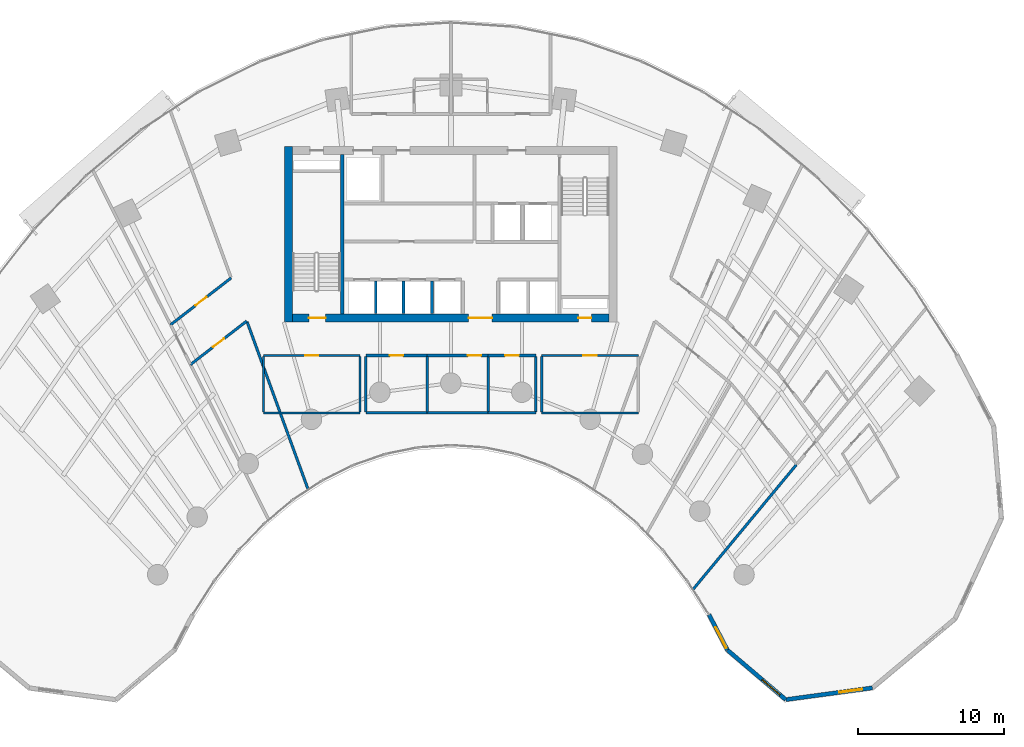
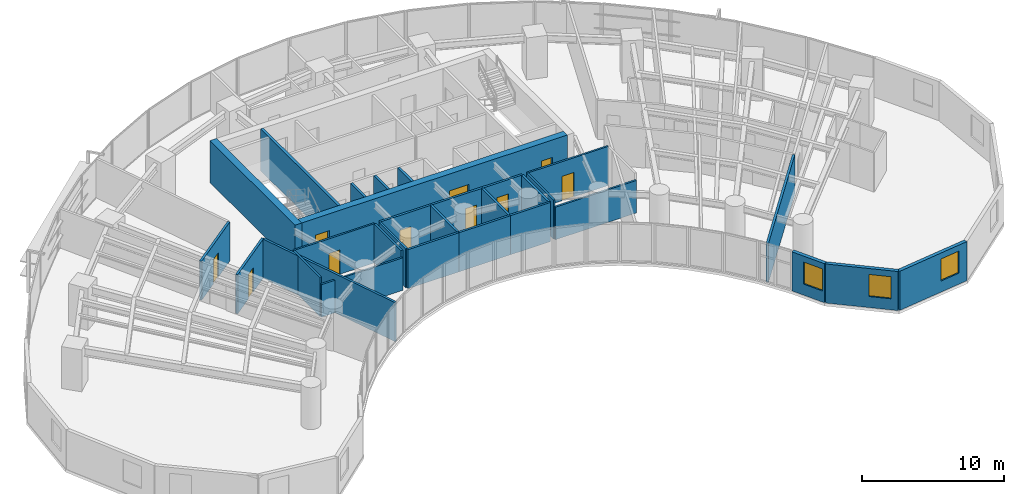
# One storey, part 11 of 17: 30 walls, 10 doors, 3 windows, 13 openings.
"""IFC4 building model written with IfcOpenShell, lengths in metres."""

import ifcopenshell
import ifcopenshell.guid

model = None  # the IFC model being written
_history = None  # IfcOwnerHistory: only IFC2X3 demands one
_inside = {}  # id of a spatial element -> (the spatial element, [elements in it])
_under = {}  # id of a project, library or spatial element -> (it, [spatial elements below it])
_declared = {}  # id of a project -> (the project, [libraries it declares])
_typed = {}  # id of a type object -> (the type object, [elements of that type])
_made_of = {}  # id of a material, layer set ... -> (it, [elements and type objects made of it])


def new_model(schema):
    """Start an empty IFC model of exactly this schema.

    Asked for "IFC4X3", IfcOpenShell would pick the latest addendum, in which some entities
    have other attributes; the version numbers below select the first issue.
    IFC2X3 requires an IfcOwnerHistory on every rooted entity: one is made here for all.
    """
    global model, _history
    if schema == "IFC4X3":
        model = ifcopenshell.file(schema_version=(4, 3, 0, 0))
    else:
        model = ifcopenshell.file(schema=schema)
    _inside.clear()
    _under.clear()
    _declared.clear()
    _typed.clear()
    _made_of.clear()
    _history = None
    if model.schema == "IFC2X3":
        org = make("IfcOrganization", Name="unknown")
        user = make(
            "IfcPersonAndOrganization",
            ThePerson=make("IfcPerson", FamilyName="unknown"),
            TheOrganization=org,
        )
        app = make(
            "IfcApplication",
            ApplicationDeveloper=org,
            Version="unknown",
            ApplicationFullName="unknown",
            ApplicationIdentifier="unknown",
        )
        _history = make(
            "IfcOwnerHistory",
            OwningUser=user,
            OwningApplication=app,
            ChangeAction="ADDED",
            CreationDate=0,
        )
    return model


def make(cls, **values):
    """One entity of the class cls with the attributes given. An attribute that is None is left unset."""
    return model.create_entity(
        cls, **{name: value for name, value in values.items() if value is not None}
    )


def rooted(cls, **values):
    """An entity with a GlobalId (a new one), such as an element, a storey or a relation."""
    return make(cls, GlobalId=ifcopenshell.guid.new(), OwnerHistory=_history, **values)


def si_unit(unit_type, name, prefix=None):
    """IfcSIUnit, for example si_unit("LENGTHUNIT", "METRE", prefix="MILLI")."""
    return make("IfcSIUnit", UnitType=unit_type, Prefix=prefix, Name=name)


def assignment(units):
    """IfcUnitAssignment: the units of a project."""
    return None if units is None else make("IfcUnitAssignment", Units=units)


def point(xyz):
    """IfcCartesianPoint."""
    return None if xyz is None else make("IfcCartesianPoint", Coordinates=xyz)


def direction(xyz):
    """IfcDirection."""
    return None if xyz is None else make("IfcDirection", DirectionRatios=xyz)


def frame(location, z_axis=None, x_axis=None):
    """IfcAxis2Placement3D, a coordinate frame: its origin and axes. An axis left out is left unset."""
    return make(
        "IfcAxis2Placement3D",
        Location=point(location),
        Axis=direction(z_axis),
        RefDirection=direction(x_axis),
    )


def frame_2d(location, x_axis=None):
    """IfcAxis2Placement2D, a coordinate frame in the plane: its origin and x axis."""
    return make(
        "IfcAxis2Placement2D", Location=point(location), RefDirection=direction(x_axis)
    )


def origin():
    """The frame at (0, 0, 0) with its axes left unset."""
    return frame((0.0, 0.0, 0.0))


def place(relative_to, where):
    """IfcLocalPlacement: puts the frame where relative to a parent placement (None: the world)."""
    return make(
        "IfcLocalPlacement", PlacementRelTo=relative_to, RelativePlacement=where
    )


def context(
    kind, dimensions, precision=None, world=None, true_north=None, identifier=None
):
    """IfcGeometricRepresentationContext, for example the 3D "Model" context."""
    return make(
        "IfcGeometricRepresentationContext",
        ContextIdentifier=identifier,
        ContextType=kind,
        CoordinateSpaceDimension=dimensions,
        Precision=precision,
        WorldCoordinateSystem=world,
        TrueNorth=true_north,
    )


def subcontext(parent, identifier, kind, view, scale=None):
    """IfcGeometricRepresentationSubContext, for example "Body" below "Model"."""
    return make(
        "IfcGeometricRepresentationSubContext",
        ContextIdentifier=identifier,
        ContextType=kind,
        ParentContext=parent,
        TargetScale=scale,
        TargetView=view,
    )


def project(units=None, contexts=None):
    """IfcProject with its units and contexts."""
    return rooted(
        "IfcProject",
        Name="project",
        RepresentationContexts=contexts,
        UnitsInContext=assignment(units),
    )


def spatial(cls, under=None, at=None, **own):
    """A site, building, storey or space (cls), placed at a placement, below another one or the project."""
    s = rooted(cls, ObjectPlacement=at, **own)
    if under is not None:
        _under.setdefault(under.id(), (under, []))[1].append(s)
    return s


def profile(cls, at=None, kind="AREA", **sizes):
    """A parametric profile (cls). Its sizes go by their IFC names, for example OverallWidth=200.0."""
    return make(cls, ProfileType=kind, Position=at, **sizes)


def rectangle(**sizes):
    """IfcRectangleProfileDef."""
    return profile("IfcRectangleProfileDef", **sizes)


def extrude(swept, where, along, depth):
    """IfcExtrudedAreaSolid: the profile swept, set in the frame where, extruded along a direction by depth."""
    return make(
        "IfcExtrudedAreaSolid",
        SweptArea=swept,
        Position=where,
        ExtrudedDirection=direction(along),
        Depth=depth,
    )


def shape(context_of_items, identifier, shape_type, items):
    """IfcShapeRepresentation: the items that make up one representation, for example the "Body"."""
    return make(
        "IfcShapeRepresentation",
        ContextOfItems=context_of_items,
        RepresentationIdentifier=identifier,
        RepresentationType=shape_type,
        Items=items,
    )


def source(mapping_origin, context_of_items, identifier, shape_type, items):
    """IfcRepresentationMap: a shape defined once, which mapped items show again and again."""
    return make(
        "IfcRepresentationMap",
        MappingOrigin=mapping_origin,
        MappedRepresentation=shape(context_of_items, identifier, shape_type, items),
    )


def transform(
    local_origin,
    x_axis=None,
    y_axis=None,
    z_axis=None,
    scale=None,
    scale2=None,
    scale3=None,
    uniform=True,
):
    """IfcCartesianTransformationOperator3D, or its non-uniform kind. x_axis, y_axis, z_axis: its Axis1, 2, 3."""
    if uniform:
        return make(
            "IfcCartesianTransformationOperator3D",
            Axis1=direction(x_axis),
            Axis2=direction(y_axis),
            LocalOrigin=point(local_origin),
            Scale=scale,
            Axis3=direction(z_axis),
        )
    return make(
        "IfcCartesianTransformationOperator3DnonUniform",
        Axis1=direction(x_axis),
        Axis2=direction(y_axis),
        LocalOrigin=point(local_origin),
        Scale=scale,
        Axis3=direction(z_axis),
        Scale2=scale2,
        Scale3=scale3,
    )


def mapped(mapping_source, mapping_target):
    """IfcMappedItem: shows the shape of a source again, moved by a transform."""
    return make(
        "IfcMappedItem", MappingSource=mapping_source, MappingTarget=mapping_target
    )


def material(Name=None, Category=None):
    """IfcMaterial."""
    return make("IfcMaterial", Name=Name, Category=Category)


def layer(
    of_material, thickness, ventilated=None, Name=None, Category=None, Priority=None
):
    """IfcMaterialLayer: one layer of a wall or slab, of a material (None: an air gap)."""
    return make(
        "IfcMaterialLayer",
        Material=of_material,
        LayerThickness=thickness,
        IsVentilated=ventilated,
        Name=Name,
        Category=Category,
        Priority=Priority,
    )


def layer_set(layers, Name=None):
    """IfcMaterialLayerSet."""
    return make("IfcMaterialLayerSet", MaterialLayers=layers, LayerSetName=Name)


def made_of(thing, what):
    """Note that an element or type object is made of a material, layer set ...; save() writes the relation."""
    if what is not None:
        _made_of.setdefault(what.id(), (what, []))[1].append(thing)
    return thing


def type_object(cls, material=None, **own):
    """A type object (cls), such as IfcWallType, which elements share."""
    return made_of(rooted(cls, **own), material)


def type_shapes(of_type, sources):
    """Give a type object the sources (RepresentationMaps) that its elements show as mapped items."""
    of_type.RepresentationMaps = sources


def element(
    cls,
    number,
    at=None,
    inside=None,
    cuts=None,
    type_object=None,
    material=None,
    context=None,
    identifier="Body",
    shape_type=None,
    held_by="IfcProductDefinitionShape",
    body=None,
    shapes=None,
    **own,
):
    """One element of the class cls, such as IfcWall. Its Tag is "e" and its number.

    at: its placement. inside: the storey or other place that contains it. cuts: it is an
    opening in that element (IfcRelVoidsElement). A single representation is given by context,
    identifier, shape_type and body (its items); several are given by shapes. held_by: the class
    of the entity that holds the representations. save() writes the other relations.
    """
    e = rooted(cls, Tag="e%d" % number, ObjectPlacement=at, **own)
    if body is not None:
        shapes = [shape(context, identifier, shape_type, body)]
    if shapes is not None:
        e.Representation = make(held_by, Representations=shapes)
    if inside is not None:
        _inside.setdefault(inside.id(), (inside, []))[1].append(e)
    if cuts is not None:
        rooted(
            "IfcRelVoidsElement", RelatingBuildingElement=cuts, RelatedOpeningElement=e
        )
    if type_object is not None:
        _typed.setdefault(type_object.id(), (type_object, []))[1].append(e)
    return made_of(e, material)


def fill(opening, filler):
    """IfcRelFillsElement: the door or window that sits in an opening."""
    return rooted(
        "IfcRelFillsElement",
        RelatingOpeningElement=opening,
        RelatedBuildingElement=filler,
    )


def aggregate(whole, parts):
    """IfcRelAggregates: a whole, such as a stair, and the parts it consists of."""
    return rooted("IfcRelAggregates", RelatingObject=whole, RelatedObjects=parts)


def save(model, path):
    """Write the relations noted so far, then the file.

    IfcRelAggregates (storeys below a building ...), IfcRelContainedInSpatialStructure (elements
    in a storey), IfcRelDefinesByType, IfcRelAssociatesMaterial and IfcRelDeclares: one each for
    every whole, place, type object, material and project.
    """
    for whole, parts in _under.values():
        aggregate(whole, parts)
    for where, things in _inside.values():
        rooted(
            "IfcRelContainedInSpatialStructure",
            RelatedElements=things,
            RelatingStructure=where,
        )
    for kind, things in _typed.values():
        rooted("IfcRelDefinesByType", RelatedObjects=things, RelatingType=kind)
    for what, things in _made_of.values():
        rooted("IfcRelAssociatesMaterial", RelatedObjects=things, RelatingMaterial=what)
    for by, libraries in _declared.values():
        rooted("IfcRelDeclares", RelatingContext=by, RelatedDefinitions=libraries)
    model.write(path)


model = new_model("IFC4")

# Units and contexts
model_context = context("Model", 3, precision=1e-05, world=origin(), true_north=direction((0.0, 1.0)))
body_context = subcontext(model_context, "Body", "Model", "MODEL_VIEW")
ifc_project = project(units=[si_unit("LENGTHUNIT", "METRE"), si_unit("AREAUNIT", "SQUARE_METRE"), si_unit("VOLUMEUNIT", "CUBIC_METRE"), si_unit("PLANEANGLEUNIT", "RADIAN"), si_unit("MASSUNIT", "GRAM", prefix="KILO")], contexts=[model_context])

# Site, building, storey
site_placement = place(None, origin())
site = spatial("IfcSite", under=ifc_project, at=site_placement, CompositionType="ELEMENT")
building_placement = place(site_placement, origin())
building = spatial("IfcBuilding", under=site, at=building_placement, Name="Breltana Convention Tower", CompositionType="ELEMENT")
storey_placement = place(building_placement, frame((0.0, 0.0, 64.199951171875)))
storey = spatial("IfcBuildingStorey", under=building, at=storey_placement, Name="L14", CompositionType="ELEMENT", Elevation=64.199951171875)

# Wall
ifc_material_1 = material(Name="Concrete C60/75", Category="concrete")
ifc_layer_1 = layer(ifc_material_1, 0.550048828125, Name="Concrete C60/75")
ifc_layer_set_1 = layer_set([ifc_layer_1], Name="Concrete C60/75")
wall_type_1 = type_object("IfcWallType", Name="SW-CORE-550", PredefinedType="SHEAR", material=ifc_layer_set_1)
shared_shape_1 = source(origin(), body_context, "Body", "SweptSolid", [
    extrude(rectangle(XDim=12.0, YDim=0.550048828125, at=frame_2d((6.0, 0.0))), origin(), (0.0, 0.0, 1.0), 3.60009765625),
])
wall_1_placement = place(storey_placement, frame((36.925048828125, 60.199951171875, 0.0), z_axis=(0.0, 0.0, 1.0), x_axis=(0.0, 1.0, 0.0)))
element("IfcWall", 1, at=wall_1_placement, inside=storey, type_object=wall_type_1, Name="L14 West Core Shear Wall", PredefinedType="SHEAR", context=body_context, shape_type="MappedRepresentation", body=[
    mapped(shared_shape_1, transform((0.0, 0.0, 0.0), scale=1.0)),
])

# Wall, openings, doors
shared_shape_2 = source(origin(), body_context, "Body", "SweptSolid", [
    extrude(rectangle(XDim=21.60009765625, YDim=0.550048828125, at=frame_2d((10.800048828125, 0.0))), origin(), (0.0, 0.0, 1.0), 3.60009765625),
])
wall_2_placement = place(storey_placement, frame((37.199951171875, 60.47509765625, 0.0), z_axis=(0.0, 0.0, 1.0), x_axis=(1.0, 0.0, 0.0)))
wall_2 = element("IfcWall", 2, at=wall_2_placement, inside=storey, type_object=wall_type_1, Name="L14 South Core Shear Wall", PredefinedType="SHEAR", context=body_context, shape_type="MappedRepresentation", body=[
    mapped(shared_shape_2, transform((0.0, 0.0, 0.0), scale=1.0)),
])
opening_1_placement = place(wall_2_placement, frame((1.10009765625, 0.0, 0.0)))
opening_1 = element("IfcOpeningElement", 3, at=opening_1_placement, cuts=wall_2, Name="Opening D-11", PredefinedType="OPENING", context=body_context, shape_type="SweptSolid", body=[
    extrude(rectangle(XDim=1.14990234375, YDim=2.14990234375, at=frame_2d((0.574951171875, 1.074951171875))), frame((0.0, 0.28515625, 0.0), z_axis=(0.0, -1.0, 0.0), x_axis=(1.0, 0.0, 0.0)), (0.0, 0.0, 1.0), 0.570068359375),
])
opening_2_placement = place(wall_2_placement, frame((19.5, 0.0, 0.0)))
opening_2 = element("IfcOpeningElement", 4, at=opening_2_placement, cuts=wall_2, Name="Opening D-18", PredefinedType="OPENING", context=body_context, shape_type="SweptSolid", body=[
    extrude(rectangle(XDim=0.89990234375, YDim=2.10009765625, at=frame_2d((0.449951171875, 1.050048828125))), frame((0.0, 0.28515625, 0.0), z_axis=(0.0, -1.0, 0.0), x_axis=(1.0, 0.0, 0.0)), (0.0, 0.0, 1.0), 0.570068359375),
])
opening_3_placement = place(wall_2_placement, frame((12.02001953125, 0.0, 0.0)))
opening_3 = element("IfcOpeningElement", 5, at=opening_3_placement, cuts=wall_2, Name="Opening D-02", PredefinedType="OPENING", context=body_context, shape_type="SweptSolid", body=[
    extrude(rectangle(XDim=1.60009765625, YDim=2.14990234375, at=frame_2d((0.800048828125, 1.074951171875))), frame((0.0, 0.28515625, 0.0), z_axis=(0.0, -1.0, 0.0), x_axis=(1.0, 0.0, 0.0)), (0.0, 0.0, 1.0), 0.570068359375),
])
ifc_material_2 = material(Name="Steel Stair Exit Door", Category="steel")
door_type_1 = type_object("IfcDoorType", Name="DR-FD120-1150", OperationType="NOTDEFINED", PredefinedType="DOOR", material=ifc_material_2)
shared_shape_3 = source(origin(), body_context, "Body", "SweptSolid", [
    extrude(rectangle(XDim=1.14990234375, YDim=2.14990234375, at=frame_2d((0.574951171875, 1.074951171875))), frame((0.0, 0.02490234375, 0.0), z_axis=(0.0, -1.0, 0.0), x_axis=(1.0, 0.0, 0.0)), (0.0, 0.0, 1.0), 0.050048828125),
])
type_shapes(door_type_1, [shared_shape_3])
door_1_placement = place(opening_1_placement, origin())
door_1 = element("IfcDoor", 6, at=door_1_placement, inside=storey, type_object=door_type_1, Name="L14 interior door D-L14-ST1", OperationType="SINGLE_SWING_LEFT", OverallHeight=2.14990234375, OverallWidth=1.14990234375, PredefinedType="DOOR", context=body_context, shape_type="MappedRepresentation", body=[
    mapped(shared_shape_3, transform((0.0, 0.0, 0.0), scale=1.0)),
])
fill(opening_1, door_1)
ifc_material_3 = material(Name="Steel Riser Fire Door", Category="steel")
door_type_2 = type_object("IfcDoorType", Name="DR-FD60-900", OperationType="NOTDEFINED", PredefinedType="DOOR", material=ifc_material_3)
shared_shape_4 = source(origin(), body_context, "Body", "SweptSolid", [
    extrude(rectangle(XDim=0.89990234375, YDim=2.10009765625, at=frame_2d((0.449951171875, 1.050048828125))), frame((0.0, 0.02490234375, 0.0), z_axis=(0.0, -1.0, 0.0), x_axis=(1.0, 0.0, 0.0)), (0.0, 0.0, 1.0), 0.050048828125),
])
type_shapes(door_type_2, [shared_shape_4])
door_2_placement = place(opening_2_placement, origin())
door_2 = element("IfcDoor", 7, at=door_2_placement, inside=storey, type_object=door_type_2, Name="L14 Core Riser Access Door D-L14-RS2", OperationType="SINGLE_SWING_RIGHT", OverallHeight=2.10009765625, OverallWidth=0.89990234375, PredefinedType="DOOR", context=body_context, shape_type="MappedRepresentation", body=[
    mapped(shared_shape_4, transform((0.0, 0.0, 0.0), scale=1.0)),
])
fill(opening_2, door_2)
ifc_material_4 = material(Name="Steel Glazed Smoke-Control Door", Category="steel")
door_type_3 = type_object("IfcDoorType", Name="DR-DBL-FD90-1600", OperationType="DOUBLE_DOOR_SINGLE_SWING", PredefinedType="DOOR", material=ifc_material_4)
shared_shape_5 = source(origin(), body_context, "Body", "SweptSolid", [
    extrude(rectangle(XDim=1.60009765625, YDim=2.14990234375, at=frame_2d((0.800048828125, 1.074951171875))), frame((0.0, 0.02490234375, 0.0), z_axis=(0.0, -1.0, 0.0), x_axis=(1.0, 0.0, 0.0)), (0.0, 0.0, 1.0), 0.050048828125),
])
type_shapes(door_type_3, [shared_shape_5])
door_3_placement = place(opening_3_placement, origin())
door_3 = element("IfcDoor", 8, at=door_3_placement, inside=storey, type_object=door_type_3, Name="L14 interior door D-L14-LLB-S", OperationType="DOUBLE_DOOR_SINGLE_SWING", OverallHeight=2.14990234375, OverallWidth=1.60009765625, PredefinedType="DOOR", context=body_context, shape_type="MappedRepresentation", body=[
    mapped(shared_shape_5, transform((0.0, 0.0, 0.0), scale=1.0)),
])
fill(opening_3, door_3)

# Wall
ifc_material_5 = material(Name="Concrete C50/60", Category="concrete")
ifc_layer_2 = layer(ifc_material_5, 0.39990234375, Name="Concrete C50/60")
ifc_layer_set_2 = layer_set([ifc_layer_2], Name="Concrete C50/60")
wall_type_2 = type_object("IfcWallType", Name="SW-CORE-400", PredefinedType="SHEAR", material=ifc_layer_set_2)
shared_shape_6 = source(origin(), body_context, "Body", "SweptSolid", [
    extrude(rectangle(XDim=10.89990234375, YDim=0.219970703125, at=frame_2d((5.449951171875, 0.0))), origin(), (0.0, 0.0, 1.0), 3.60009765625),
])
wall_3_placement = place(storey_placement, frame((40.580078125, 60.75, 0.0), z_axis=(0.0, 0.0, 1.0), x_axis=(0.0, 1.0, 0.0)))
element("IfcWall", 9, at=wall_3_placement, inside=storey, type_object=wall_type_2, Name="L14 Core West Stair Spine Wall", PredefinedType="SHEAR", context=body_context, shape_type="MappedRepresentation", body=[
    mapped(shared_shape_6, transform((0.0, 0.0, 0.0), scale=1.0)),
])

# Wall, opening, window
ifc_material_6 = material(Name="Limestone Buff Insulated Wall", Category="masonry")
ifc_layer_3 = layer(ifc_material_6, 0.280029296875, Name="Limestone Buff Insulated Wall")
ifc_layer_set_3 = layer_set([ifc_layer_3], Name="Limestone Buff Insulated Wall")
wall_type_3 = type_object("IfcWallType", Name="WL-EXT-NOSE-280", PredefinedType="SOLIDWALL", material=ifc_layer_set_3)
shared_shape_7 = source(origin(), body_context, "Body", "SweptSolid", [
    extrude(rectangle(XDim=5.96728515625, YDim=0.280029296875, at=frame_2d((2.983642578125, 0.0))), origin(), (0.0, 0.0, 1.0), 3.360107421875),
])
wall_4_placement = place(storey_placement, frame((76.77734375, 35.226806640625, 0.0), z_axis=(0.0, 0.0, 1.0), x_axis=(-0.990927009341, -0.134401124099, 0.0)))
wall_4 = element("IfcWall", 10, at=wall_4_placement, inside=storey, type_object=wall_type_3, Name="L14 curved limestone nose wall E4", PredefinedType="SOLIDWALL", context=body_context, shape_type="MappedRepresentation", body=[
    mapped(shared_shape_7, transform((0.0, 0.0, 0.0), scale=1.0)),
])
opening_4_placement = place(wall_4_placement, frame((0.69189453125, 0.0, 0.949951171875)))
opening_4 = element("IfcOpeningElement", 11, at=opening_4_placement, cuts=wall_4, Name="Opening W-04", PredefinedType="OPENING", context=body_context, shape_type="SweptSolid", body=[
    extrude(rectangle(XDim=1.60009765625, YDim=1.89990234375, at=frame_2d((0.800048828125, 0.949951171875))), frame((0.0, 0.14990234375, 0.0), z_axis=(0.0, -1.0, 0.0), x_axis=(1.0, 0.0, 0.0)), (0.0, 0.0, 1.0), 0.300048828125),
])
ifc_material_7 = material(Name="Glass Low-E Insulated Window", Category="glass")
window_type = type_object("IfcWindowType", Name="WN-NOSE-1600X1900", PartitioningType="SINGLE_PANEL", PredefinedType="WINDOW", material=ifc_material_7)
shared_shape_8 = source(origin(), body_context, "Body", "SweptSolid", [
    extrude(rectangle(XDim=1.60009765625, YDim=1.89990234375, at=frame_2d((0.800048828125, 0.949951171875))), frame((0.0, 0.030029296875, 0.0), z_axis=(0.0, -1.0, 0.0), x_axis=(1.0, 0.0, 0.0)), (0.0, 0.0, 1.0), 0.06005859375),
])
type_shapes(window_type, [shared_shape_8])
window_1_placement = place(opening_4_placement, origin())
window_1 = element("IfcWindow", 12, at=window_1_placement, inside=storey, type_object=window_type, Name="L14 nose window E4", OverallHeight=1.89990234375, OverallWidth=1.60009765625, PartitioningType="SINGLE_PANEL", PredefinedType="WINDOW", context=body_context, shape_type="MappedRepresentation", body=[
    mapped(shared_shape_8, transform((0.0, 0.0, 0.0), scale=1.0)),
])
fill(opening_4, window_1)

shared_shape_9 = source(origin(), body_context, "Body", "SweptSolid", [
    extrude(rectangle(XDim=5.222412109375, YDim=0.280029296875, at=frame_2d((2.611328125, 0.0))), origin(), (0.0, 0.0, 1.0), 3.360107421875),
])
wall_5_placement = place(storey_placement, frame((70.8642578125, 34.4248046875, 0.0), z_axis=(0.0, 0.0, 1.0), x_axis=(-0.761900099546, 0.647694556339, 0.0)))
wall_5 = element("IfcWall", 13, at=wall_5_placement, inside=storey, type_object=wall_type_3, Name="L14 curved limestone nose wall E5", PredefinedType="SOLIDWALL", context=body_context, shape_type="MappedRepresentation", body=[
    mapped(shared_shape_9, transform((0.0, 0.0, 0.0), scale=1.0)),
])
opening_5_placement = place(wall_5_placement, frame((0.505615234375, 0.0, 0.949951171875)))
opening_5 = element("IfcOpeningElement", 14, at=opening_5_placement, cuts=wall_5, Name="Opening W-04", PredefinedType="OPENING", context=body_context, shape_type="SweptSolid", body=[
    extrude(rectangle(XDim=1.60009765625, YDim=1.89990234375, at=frame_2d((0.800048828125, 0.949951171875))), frame((0.0, 0.14990234375, 0.0), z_axis=(0.0, -1.0, 0.0), x_axis=(1.0, 0.0, 0.0)), (0.0, 0.0, 1.0), 0.300048828125),
])
window_2_placement = place(opening_5_placement, origin())
window_2 = element("IfcWindow", 15, at=window_2_placement, inside=storey, type_object=window_type, Name="L14 nose window E5", OverallHeight=1.89990234375, OverallWidth=1.60009765625, PartitioningType="SINGLE_PANEL", PredefinedType="WINDOW", context=body_context, shape_type="MappedRepresentation", body=[
    mapped(shared_shape_8, transform((0.0, 0.0, 0.0), scale=1.0)),
])
fill(opening_5, window_2)

shared_shape_10 = source(origin(), body_context, "Body", "SweptSolid", [
    extrude(rectangle(XDim=2.7353515625, YDim=0.280029296875, at=frame_2d((1.36767578125, 0.0))), origin(), (0.0, 0.0, 1.0), 3.360107421875),
])
wall_6_placement = place(storey_placement, frame((66.88525390625, 37.807373046875, 0.0), z_axis=(0.0, 0.0, 1.0), x_axis=(-0.46179107292, 0.886988728774, 0.0)))
wall_6 = element("IfcWall", 16, at=wall_6_placement, inside=storey, type_object=wall_type_3, Name="L14 curved limestone nose wall E6", PredefinedType="SOLIDWALL", context=body_context, shape_type="MappedRepresentation", body=[
    mapped(shared_shape_10, transform((0.0, 0.0, 0.0), scale=1.0)),
])
opening_6_placement = place(wall_6_placement, frame((0.159912109375, 0.0, 0.949951171875)))
opening_6 = element("IfcOpeningElement", 17, at=opening_6_placement, cuts=wall_6, Name="Opening W-04", PredefinedType="OPENING", context=body_context, shape_type="SweptSolid", body=[
    extrude(rectangle(XDim=1.60009765625, YDim=1.89990234375, at=frame_2d((0.800048828125, 0.949951171875))), frame((0.0, 0.14990234375, 0.0), z_axis=(0.0, -1.0, 0.0), x_axis=(1.0, 0.0, 0.0)), (0.0, 0.0, 1.0), 0.300048828125),
])
window_3_placement = place(opening_6_placement, origin())
window_3 = element("IfcWindow", 18, at=window_3_placement, inside=storey, type_object=window_type, Name="L14 nose window E6", OverallHeight=1.89990234375, OverallWidth=1.60009765625, PartitioningType="SINGLE_PANEL", PredefinedType="WINDOW", context=body_context, shape_type="MappedRepresentation", body=[
    mapped(shared_shape_8, transform((0.0, 0.0, 0.0), scale=1.0)),
])
fill(opening_6, window_3)

# Walls
ifc_material_8 = material(Name="Autoclaved Aerated Concrete Block", Category="concrete")
ifc_layer_4 = layer(ifc_material_8, 0.199951171875, Name="Autoclaved Aerated Concrete Block")
ifc_layer_set_4 = layer_set([ifc_layer_4], Name="Autoclaved Aerated Concrete Block")
wall_type_4 = type_object("IfcWallType", Name="WL-SHAFT-200", PredefinedType="SOLIDWALL", material=ifc_layer_set_4)
shared_shape_11 = source(origin(), body_context, "Body", "SweptSolid", [
    extrude(rectangle(XDim=2.199951171875, YDim=0.199951171875, at=frame_2d((1.10009765625, 0.0))), origin(), (0.0, 0.0, 1.0), 3.360107421875),
])
for number, where, z_axis, x_axis, name in (
    (19, (42.8701171875, 60.800048828125, 0.0), (0.0, 0.0, 1.0), (0.0, 1.0, 0.0), "L14 interior partition W-L14-SH-S-DIV1"),
    (20, (44.77001953125, 60.800048828125, 0.0), (0.0, 0.0, 1.0), (0.0, 1.0, 0.0), "L14 interior partition W-L14-SH-S-DIV2"),
    (21, (46.699951171875, 60.800048828125, 0.0), (0.0, 0.0, 1.0), (0.0, 1.0, 0.0), "L14 interior partition W-L14-SH-S-DIV3"),
):
    element("IfcWall", number, at=place(storey_placement, frame(where, z_axis=z_axis, x_axis=x_axis)), inside=storey, type_object=wall_type_4, Name=name, PredefinedType="SOLIDWALL", context=body_context, shape_type="MappedRepresentation", body=[
        mapped(shared_shape_11, transform((0.0, 0.0, 0.0), scale=1.0)),
    ])
ifc_material_9 = material(Name="Gypsum Acoustic Drywall Partition")
ifc_layer_5 = layer(ifc_material_9, 0.14990234375, Name="Gypsum Acoustic Drywall Partition")
ifc_layer_set_5 = layer_set([ifc_layer_5], Name="Gypsum Acoustic Drywall Partition")
wall_type_5 = type_object("IfcWallType", Name="WL-PART-150", PredefinedType="PARTITIONING", material=ifc_layer_set_5)
shared_shape_12 = source(origin(), body_context, "Body", "SweptSolid", [
    extrude(rectangle(XDim=6.60009765625, YDim=0.14990234375, at=frame_2d((3.300048828125, 0.0))), origin(), (0.0, 0.0, 1.0), 2.802978515625),
])
for number, where, z_axis, x_axis, name in (
    (22, (35.199951171875, 54.0, 0.0), (0.0, 0.0, 1.0), (1.0, 0.0, 0.0), "L14 interior partition W-L14-HSK-S"),
    (23, (54.199951171875, 54.0, 0.0), (0.0, 0.0, 1.0), (1.0, 0.0, 0.0), "L14 interior partition W-L14-HMT-S"),
):
    element("IfcWall", number, at=place(storey_placement, frame(where, z_axis=z_axis, x_axis=x_axis)), inside=storey, type_object=wall_type_5, Name=name, PredefinedType="PARTITIONING", context=body_context, shape_type="MappedRepresentation", body=[
        mapped(shared_shape_12, transform((0.0, 0.0, 0.0), scale=1.0)),
    ])

# Wall, opening, door
shared_shape_13 = source(origin(), body_context, "Body", "SweptSolid", [
    extrude(rectangle(XDim=6.60009765625, YDim=0.14990234375, at=frame_2d((3.300048828125, 0.0))), origin(), (0.0, 0.0, 1.0), 3.360107421875),
])
wall_7_placement = place(storey_placement, frame((35.199951171875, 57.919921875, 0.0), z_axis=(0.0, 0.0, 1.0), x_axis=(1.0, 0.0, 0.0)))
wall_7 = element("IfcWall", 24, at=wall_7_placement, inside=storey, type_object=wall_type_5, Name="L14 interior partition W-L14-HSK-N", PredefinedType="PARTITIONING", context=body_context, shape_type="MappedRepresentation", body=[
    mapped(shared_shape_13, transform((0.0, 0.0, 0.0), scale=1.0)),
])
opening_7_placement = place(wall_7_placement, frame((2.85009765625, 0.0, 0.0)))
opening_7 = element("IfcOpeningElement", 25, at=opening_7_placement, cuts=wall_7, Name="Opening D-18", PredefinedType="OPENING", context=body_context, shape_type="SweptSolid", body=[
    extrude(rectangle(XDim=0.89990234375, YDim=2.10009765625, at=frame_2d((0.449951171875, 1.050048828125))), frame((0.0, 0.0849609375, 0.0), z_axis=(0.0, -1.0, 0.0), x_axis=(1.0, 0.0, 0.0)), (0.0, 0.0, 1.0), 0.169921875),
])
door_4_placement = place(opening_7_placement, origin())
door_4 = element("IfcDoor", 26, at=door_4_placement, inside=storey, type_object=door_type_2, Name="L14 interior door D-L14-HSK", OperationType="SINGLE_SWING_RIGHT", OverallHeight=2.10009765625, OverallWidth=0.89990234375, PredefinedType="DOOR", context=body_context, shape_type="MappedRepresentation", body=[
    mapped(shared_shape_4, transform((0.0, 0.0, 0.0), scale=1.0)),
])
fill(opening_7, door_4)

wall_8_placement = place(storey_placement, frame((54.199951171875, 57.919921875, 0.0), z_axis=(0.0, 0.0, 1.0), x_axis=(1.0, 0.0, 0.0)))
wall_8 = element("IfcWall", 27, at=wall_8_placement, inside=storey, type_object=wall_type_5, Name="L14 interior partition W-L14-HMT-N", PredefinedType="PARTITIONING", context=body_context, shape_type="MappedRepresentation", body=[
    mapped(shared_shape_13, transform((0.0, 0.0, 0.0), scale=1.0)),
])
opening_8_placement = place(wall_8_placement, frame((2.824951171875, 0.0, 0.0)))
opening_8 = element("IfcOpeningElement", 28, at=opening_8_placement, cuts=wall_8, Name="Opening D-17", PredefinedType="OPENING", context=body_context, shape_type="SweptSolid", body=[
    extrude(rectangle(XDim=0.949951171875, YDim=2.10009765625, at=frame_2d((0.47509765625, 1.050048828125))), frame((0.0, 0.0849609375, 0.0), z_axis=(0.0, -1.0, 0.0), x_axis=(1.0, 0.0, 0.0)), (0.0, 0.0, 1.0), 0.169921875),
])
ifc_material_10 = material(Name="Timber Oak Veneer Door", Category="wood")
door_type_4 = type_object("IfcDoorType", Name="DR-INT-950", OperationType="NOTDEFINED", PredefinedType="DOOR", material=ifc_material_10)
shared_shape_14 = source(origin(), body_context, "Body", "SweptSolid", [
    extrude(rectangle(XDim=0.949951171875, YDim=2.10009765625, at=frame_2d((0.47509765625, 1.050048828125))), frame((0.0, 0.02490234375, 0.0), z_axis=(0.0, -1.0, 0.0), x_axis=(1.0, 0.0, 0.0)), (0.0, 0.0, 1.0), 0.050048828125),
])
type_shapes(door_type_4, [shared_shape_14])
door_5_placement = place(opening_8_placement, origin())
door_5 = element("IfcDoor", 29, at=door_5_placement, inside=storey, type_object=door_type_4, Name="L14 interior door D-L14-HMT", OperationType="SINGLE_SWING_RIGHT", OverallHeight=2.10009765625, OverallWidth=0.949951171875, PredefinedType="DOOR", context=body_context, shape_type="MappedRepresentation", body=[
    mapped(shared_shape_14, transform((0.0, 0.0, 0.0), scale=1.0)),
])
fill(opening_8, door_5)

# Walls
shared_shape_15 = source(origin(), body_context, "Body", "SweptSolid", [
    extrude(rectangle(XDim=3.78515625, YDim=0.14990234375, at=frame_2d((1.892578125, 0.0))), origin(), (0.0, 0.0, 1.0), 3.360107421875),
])
for number, where, z_axis, x_axis, name in (
    (30, (35.199951171875, 54.0673828125, 0.0), (0.0, 0.0, 1.0), (0.0, 1.0, 0.0), "L14 interior partition W-L14-HSK-W"),
    (31, (41.800048828125, 54.0673828125, 0.0), (0.0, 0.0, 1.0), (0.0, 1.0, 0.0), "L14 interior partition W-L14-HSK-E"),
    (32, (54.199951171875, 54.0673828125, 0.0), (0.0, 0.0, 1.0), (0.0, 1.0, 0.0), "L14 interior partition W-L14-HMT-W"),
):
    element("IfcWall", number, at=place(storey_placement, frame(where, z_axis=z_axis, x_axis=x_axis)), inside=storey, type_object=wall_type_5, Name=name, PredefinedType="PARTITIONING", context=body_context, shape_type="MappedRepresentation", body=[
        mapped(shared_shape_15, transform((0.0, 0.0, 0.0), scale=1.0)),
    ])
ifc_material_11 = material(Name="Cement Board Wet-Area Partition")
ifc_layer_6 = layer(ifc_material_11, 0.175048828125, Name="Cement Board Wet-Area Partition")
ifc_layer_set_6 = layer_set([ifc_layer_6], Name="Cement Board Wet-Area Partition")
wall_type_6 = type_object("IfcWallType", Name="WL-WET-175", PredefinedType="PARTITIONING", material=ifc_layer_set_6)
shared_shape_16 = source(origin(), body_context, "Body", "SweptSolid", [
    extrude(rectangle(XDim=4.176025390625, YDim=0.175048828125, at=frame_2d((2.087890625, 0.0))), origin(), (0.0, 0.0, 1.0), 3.360107421875),
])
for number, where, z_axis, x_axis, name in (
    (33, (42.199951171875, 54.0, 0.0), (0.0, 0.0, 1.0), (1.0, 0.0, 0.0), "L14 interior partition W-L14-WCM-S"),
    (34, (46.3759765625, 54.0, 0.0), (0.0, 0.0, 1.0), (1.0, 0.0, 0.0), "L14 interior partition W-L14-WCF-S"),
):
    element("IfcWall", number, at=place(storey_placement, frame(where, z_axis=z_axis, x_axis=x_axis)), inside=storey, type_object=wall_type_6, Name=name, PredefinedType="PARTITIONING", context=body_context, shape_type="MappedRepresentation", body=[
        mapped(shared_shape_16, transform((0.0, 0.0, 0.0), scale=1.0)),
    ])

# Wall, opening, door
ifc_material_12 = material(Name="Moisture-Resistant Gypsum Chase Wall")
ifc_layer_7 = layer(ifc_material_12, 0.179931640625, Name="Moisture-Resistant Gypsum Chase Wall")
ifc_layer_set_7 = layer_set([ifc_layer_7], Name="Moisture-Resistant Gypsum Chase Wall")
wall_type_7 = type_object("IfcWallType", Name="WL-PLUMB-180", PredefinedType="PLUMBINGWALL", material=ifc_layer_set_7)
shared_shape_17 = source(origin(), body_context, "Body", "SweptSolid", [
    extrude(rectangle(XDim=4.176025390625, YDim=0.179931640625, at=frame_2d((2.087890625, 0.0))), origin(), (0.0, 0.0, 1.0), 3.360107421875),
])
wall_9_placement = place(storey_placement, frame((42.199951171875, 57.919921875, 0.0), z_axis=(0.0, 0.0, 1.0), x_axis=(1.0, 0.0, 0.0)))
wall_9 = element("IfcWall", 35, at=wall_9_placement, inside=storey, type_object=wall_type_7, Name="L14 interior partition W-L14-WCM-N", PredefinedType="PLUMBINGWALL", context=body_context, shape_type="MappedRepresentation", body=[
    mapped(shared_shape_17, transform((0.0, 0.0, 0.0), scale=1.0)),
])
opening_9_placement = place(wall_9_placement, frame((1.637939453125, 0.0, 0.0)))
opening_9 = element("IfcOpeningElement", 36, at=opening_9_placement, cuts=wall_9, Name="Opening D-19", PredefinedType="OPENING", context=body_context, shape_type="SweptSolid", body=[
    extrude(rectangle(XDim=0.89990234375, YDim=2.080078125, at=frame_2d((0.449951171875, 1.0400390625))), frame((0.0, 0.10009765625, 0.0), z_axis=(0.0, -1.0, 0.0), x_axis=(1.0, 0.0, 0.0)), (0.0, 0.0, 1.0), 0.199951171875),
])
ifc_material_13 = material(Name="Timber Moisture-Resistant Door", Category="wood")
door_type_5 = type_object("IfcDoorType", Name="DR-WC-900", OperationType="NOTDEFINED", PredefinedType="DOOR", material=ifc_material_13)
shared_shape_18 = source(origin(), body_context, "Body", "SweptSolid", [
    extrude(rectangle(XDim=0.89990234375, YDim=2.080078125, at=frame_2d((0.449951171875, 1.0400390625))), frame((0.0, 0.02490234375, 0.0), z_axis=(0.0, -1.0, 0.0), x_axis=(1.0, 0.0, 0.0)), (0.0, 0.0, 1.0), 0.050048828125),
])
type_shapes(door_type_5, [shared_shape_18])
door_6_placement = place(opening_9_placement, origin())
door_6 = element("IfcDoor", 37, at=door_6_placement, inside=storey, type_object=door_type_5, Name="L14 interior door D-L14-WCM", OperationType="SINGLE_SWING_LEFT", OverallHeight=2.080078125, OverallWidth=0.89990234375, PredefinedType="DOOR", context=body_context, shape_type="MappedRepresentation", body=[
    mapped(shared_shape_18, transform((0.0, 0.0, 0.0), scale=1.0)),
])
fill(opening_9, door_6)

wall_10_placement = place(storey_placement, frame((46.3759765625, 57.919921875, 0.0), z_axis=(0.0, 0.0, 1.0), x_axis=(1.0, 0.0, 0.0)))
wall_10 = element("IfcWall", 38, at=wall_10_placement, inside=storey, type_object=wall_type_7, Name="L14 interior partition W-L14-WCF-N", PredefinedType="PLUMBINGWALL", context=body_context, shape_type="MappedRepresentation", body=[
    mapped(shared_shape_17, transform((0.0, 0.0, 0.0), scale=1.0)),
])
opening_10_placement = place(wall_10_placement, frame((2.7880859375, 0.0, 0.0)))
opening_10 = element("IfcOpeningElement", 39, at=opening_10_placement, cuts=wall_10, Name="Opening D-19", PredefinedType="OPENING", context=body_context, shape_type="SweptSolid", body=[
    extrude(rectangle(XDim=0.89990234375, YDim=2.080078125, at=frame_2d((0.449951171875, 1.0400390625))), frame((0.0, 0.10009765625, 0.0), z_axis=(0.0, -1.0, 0.0), x_axis=(1.0, 0.0, 0.0)), (0.0, 0.0, 1.0), 0.199951171875),
])
door_7_placement = place(opening_10_placement, origin())
door_7 = element("IfcDoor", 40, at=door_7_placement, inside=storey, type_object=door_type_5, Name="L14 interior door D-L14-WCF", OperationType="SINGLE_SWING_RIGHT", OverallHeight=2.080078125, OverallWidth=0.89990234375, PredefinedType="DOOR", context=body_context, shape_type="MappedRepresentation", body=[
    mapped(shared_shape_18, transform((0.0, 0.0, 0.0), scale=1.0)),
])
fill(opening_10, door_7)

# Walls
shared_shape_19 = source(origin(), body_context, "Body", "SweptSolid", [
    extrude(rectangle(XDim=3.7626953125, YDim=0.175048828125, at=frame_2d((1.88134765625, 0.0))), origin(), (0.0, 0.0, 1.0), 3.360107421875),
])
for number, where, z_axis, x_axis, name in (
    (41, (42.199951171875, 54.07861328125, 0.0), (0.0, 0.0, 1.0), (0.0, 1.0, 0.0), "L14 interior partition W-L14-WCM-W"),
    (42, (46.3759765625, 54.07861328125, 0.0), (0.0, 0.0, 1.0), (0.0, 1.0, 0.0), "L14 interior partition W-L14-WCM-E"),
    (43, (50.552001953125, 54.07861328125, 0.0), (0.0, 0.0, 1.0), (0.0, 1.0, 0.0), "L14 interior partition W-L14-WCF-E"),
    (44, (53.800048828125, 54.07861328125, 0.0), (0.0, 0.0, 1.0), (0.0, 1.0, 0.0), "L14 interior partition W-L14-WCA-E"),
):
    element("IfcWall", number, at=place(storey_placement, frame(where, z_axis=z_axis, x_axis=x_axis)), inside=storey, type_object=wall_type_6, Name=name, PredefinedType="PARTITIONING", context=body_context, shape_type="MappedRepresentation", body=[
        mapped(shared_shape_19, transform((0.0, 0.0, 0.0), scale=1.0)),
    ])
shared_shape_20 = source(origin(), body_context, "Body", "SweptSolid", [
    extrude(rectangle(XDim=3.248046875, YDim=0.175048828125, at=frame_2d((1.6240234375, 0.0))), origin(), (0.0, 0.0, 1.0), 3.360107421875),
])
wall_11_placement = place(storey_placement, frame((50.552001953125, 54.0, 0.0), z_axis=(0.0, 0.0, 1.0), x_axis=(1.0, 0.0, 0.0)))
element("IfcWall", 45, at=wall_11_placement, inside=storey, type_object=wall_type_6, Name="L14 interior partition W-L14-WCA-S", PredefinedType="PARTITIONING", context=body_context, shape_type="MappedRepresentation", body=[
    mapped(shared_shape_20, transform((0.0, 0.0, 0.0), scale=1.0)),
])

# Wall, opening, door
shared_shape_21 = source(origin(), body_context, "Body", "SweptSolid", [
    extrude(rectangle(XDim=3.248046875, YDim=0.179931640625, at=frame_2d((1.6240234375, 0.0))), origin(), (0.0, 0.0, 1.0), 3.360107421875),
])
wall_12_placement = place(storey_placement, frame((50.552001953125, 57.919921875, 0.0), z_axis=(0.0, 0.0, 1.0), x_axis=(1.0, 0.0, 0.0)))
wall_12 = element("IfcWall", 46, at=wall_12_placement, inside=storey, type_object=wall_type_7, Name="L14 interior partition W-L14-WCA-N", PredefinedType="PLUMBINGWALL", context=body_context, shape_type="MappedRepresentation", body=[
    mapped(shared_shape_21, transform((0.0, 0.0, 0.0), scale=1.0)),
])
opening_11_placement = place(wall_12_placement, frame((1.14892578125, 0.0, 0.0)))
opening_11 = element("IfcOpeningElement", 47, at=opening_11_placement, cuts=wall_12, Name="Opening D-16", PredefinedType="OPENING", context=body_context, shape_type="SweptSolid", body=[
    extrude(rectangle(XDim=0.949951171875, YDim=2.1201171875, at=frame_2d((0.47509765625, 1.06005859375))), frame((0.0, 0.10009765625, 0.0), z_axis=(0.0, -1.0, 0.0), x_axis=(1.0, 0.0, 0.0)), (0.0, 0.0, 1.0), 0.199951171875),
])
ifc_material_14 = material(Name="Timber Laminate Accessible Door", Category="wood")
door_type_6 = type_object("IfcDoorType", Name="DR-ACC-950", OperationType="NOTDEFINED", PredefinedType="DOOR", material=ifc_material_14)
shared_shape_22 = source(origin(), body_context, "Body", "SweptSolid", [
    extrude(rectangle(XDim=0.949951171875, YDim=2.1201171875, at=frame_2d((0.47509765625, 1.06005859375))), frame((0.0, 0.02490234375, 0.0), z_axis=(0.0, -1.0, 0.0), x_axis=(1.0, 0.0, 0.0)), (0.0, 0.0, 1.0), 0.050048828125),
])
type_shapes(door_type_6, [shared_shape_22])
door_8_placement = place(opening_11_placement, origin())
door_8 = element("IfcDoor", 48, at=door_8_placement, inside=storey, type_object=door_type_6, Name="L14 interior door D-L14-WCA", OperationType="SINGLE_SWING_LEFT", OverallHeight=2.1201171875, OverallWidth=0.949951171875, PredefinedType="DOOR", context=body_context, shape_type="MappedRepresentation", body=[
    mapped(shared_shape_22, transform((0.0, 0.0, 0.0), scale=1.0)),
])
fill(opening_11, door_8)

shared_shape_23 = source(origin(), body_context, "Body", "SweptSolid", [
    extrude(rectangle(XDim=5.227294921875, YDim=0.179931640625, at=frame_2d((2.61376953125, 0.0))), origin(), (0.0, 0.0, 1.0), 3.360107421875),
])
wall_13_placement = place(storey_placement, frame((28.864501953125, 60.015380859375, 0.0), z_axis=(0.0, 0.0, 1.0), x_axis=(0.790908912792, 0.61193389485, 0.0)))
wall_13 = element("IfcWall", 49, at=wall_13_placement, inside=storey, type_object=wall_type_7, Name="L14 interior partition W-L14-SPAO1-COR", PredefinedType="PLUMBINGWALL", context=body_context, shape_type="MappedRepresentation", body=[
    mapped(shared_shape_23, transform((0.0, 0.0, 0.0), scale=1.0)),
])
opening_12_placement = place(wall_13_placement, frame((2.138671875, 0.0, 0.0)))
opening_12 = element("IfcOpeningElement", 50, at=opening_12_placement, cuts=wall_13, Name="Opening D-17", PredefinedType="OPENING", context=body_context, shape_type="SweptSolid", body=[
    extrude(rectangle(XDim=0.949951171875, YDim=2.10009765625, at=frame_2d((0.47509765625, 1.050048828125))), frame((0.0, 0.10009765625, 0.0), z_axis=(0.0, -1.0, 0.0), x_axis=(1.0, 0.0, 0.0)), (0.0, 0.0, 1.0), 0.199951171875),
])
door_9_placement = place(opening_12_placement, origin())
door_9 = element("IfcDoor", 51, at=door_9_placement, inside=storey, type_object=door_type_4, Name="L14 interior door D-L14-SPAO1", OperationType="SINGLE_SWING_RIGHT", OverallHeight=2.10009765625, OverallWidth=0.949951171875, PredefinedType="DOOR", context=body_context, shape_type="MappedRepresentation", body=[
    mapped(shared_shape_14, transform((0.0, 0.0, 0.0), scale=1.0)),
])
fill(opening_12, door_9)

shared_shape_24 = source(origin(), body_context, "Body", "SweptSolid", [
    extrude(rectangle(XDim=4.854736328125, YDim=0.179931640625, at=frame_2d((2.42724609375, 0.0))), origin(), (0.0, 0.0, 1.0), 3.360107421875),
])
wall_14_placement = place(storey_placement, frame((30.228759765625, 57.3046875, 0.0), z_axis=(0.0, 0.0, 1.0), x_axis=(0.790930965655, 0.611905391028, 0.0)))
wall_14 = element("IfcWall", 52, at=wall_14_placement, inside=storey, type_object=wall_type_7, Name="L14 interior partition W-L14-SPAI1-COR", PredefinedType="PLUMBINGWALL", context=body_context, shape_type="MappedRepresentation", body=[
    mapped(shared_shape_24, transform((0.0, 0.0, 0.0), scale=1.0)),
])
opening_13_placement = place(wall_14_placement, frame((1.952392578125, 0.0, 0.0)))
opening_13 = element("IfcOpeningElement", 53, at=opening_13_placement, cuts=wall_14, Name="Opening D-17", PredefinedType="OPENING", context=body_context, shape_type="SweptSolid", body=[
    extrude(rectangle(XDim=0.949951171875, YDim=2.10009765625, at=frame_2d((0.47509765625, 1.050048828125))), frame((0.0, 0.10009765625, 0.0), z_axis=(0.0, -1.0, 0.0), x_axis=(1.0, 0.0, 0.0)), (0.0, 0.0, 1.0), 0.199951171875),
])
door_10_placement = place(opening_13_placement, origin())
door_10 = element("IfcDoor", 54, at=door_10_placement, inside=storey, type_object=door_type_4, Name="L14 interior door D-L14-SPAI1", OperationType="SINGLE_SWING_LEFT", OverallHeight=2.10009765625, OverallWidth=0.949951171875, PredefinedType="DOOR", context=body_context, shape_type="MappedRepresentation", body=[
    mapped(shared_shape_14, transform((0.0, 0.0, 0.0), scale=1.0)),
])
fill(opening_13, door_10)

# Walls
shared_shape_25 = source(origin(), body_context, "Body", "SweptSolid", [
    extrude(rectangle(XDim=12.1962890625, YDim=0.179931640625, at=frame_2d((6.09814453125, 0.0))), origin(), (0.0, 0.0, 1.0), 3.360107421875),
])
wall_15_placement = place(storey_placement, frame((38.257568359375, 48.766357421875, 0.0), z_axis=(0.0, 0.0, 1.0), x_axis=(-0.342022711534, 0.939691686031, 0.0)))
element("IfcWall", 55, at=wall_15_placement, inside=storey, type_object=wall_type_7, Name="L14 interior partition W-L14-SPAI1-RB", PredefinedType="PLUMBINGWALL", context=body_context, shape_type="MappedRepresentation", body=[
    mapped(shared_shape_25, transform((0.0, 0.0, 0.0), scale=1.0)),
])
shared_shape_26 = source(origin(), body_context, "Body", "SweptSolid", [
    extrude(rectangle(XDim=11.05322265625, YDim=0.179931640625, at=frame_2d((5.526611328125, 0.0))), origin(), (0.0, 0.0, 1.0), 3.360107421875),
])
wall_16_placement = place(storey_placement, frame((64.533935546875, 41.948974609375, 0.0), z_axis=(0.0, 0.0, 1.0), x_axis=(0.638131235571, 0.769927611005, 0.0)))
element("IfcWall", 56, at=wall_16_placement, inside=storey, type_object=wall_type_7, Name="L14 interior partition W-L14-HE05-RB", PredefinedType="PLUMBINGWALL", context=body_context, shape_type="MappedRepresentation", body=[
    mapped(shared_shape_26, transform((0.0, 0.0, 0.0), scale=1.0)),
])

save(model, "model.ifc")
